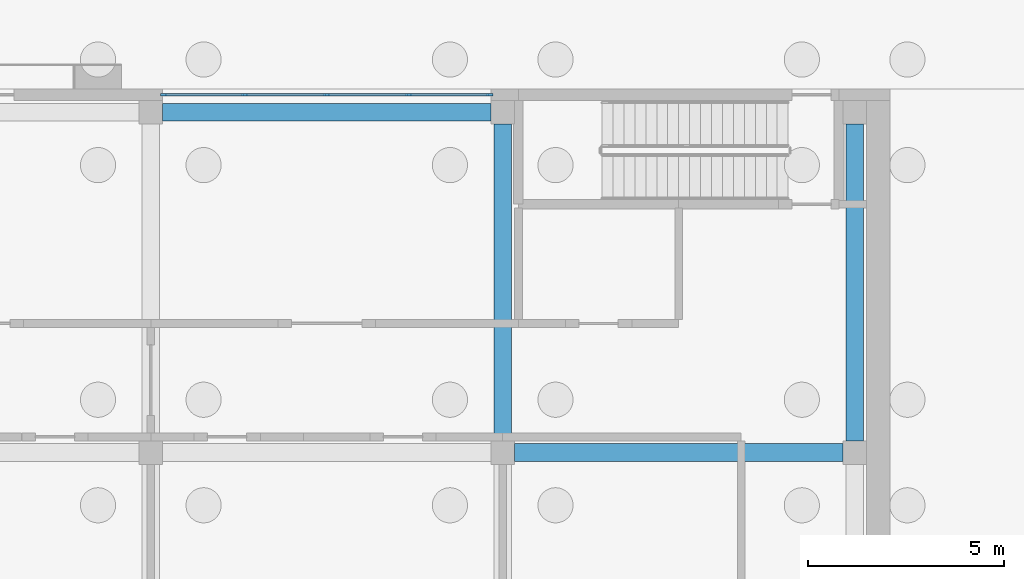
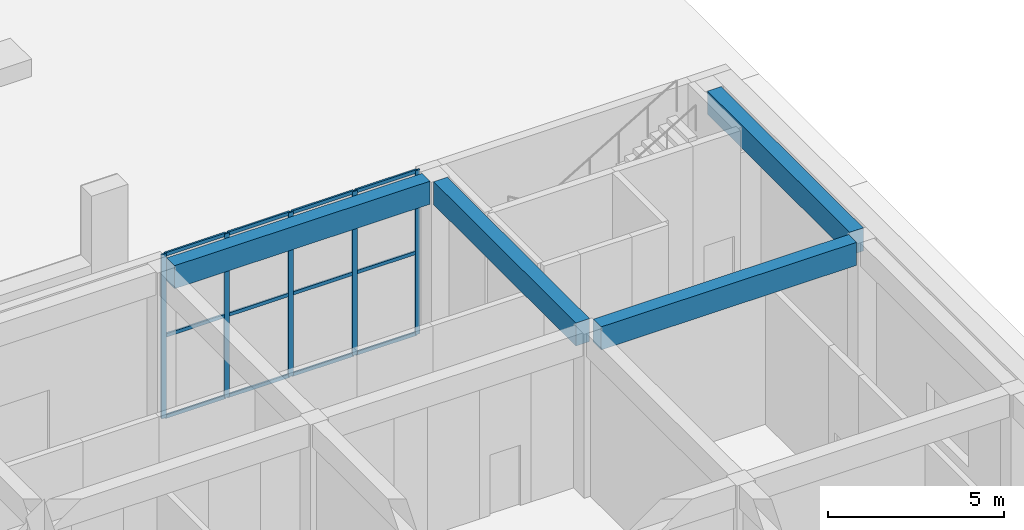
# One storey, part 10 of 31: 17 members, 4 beams, 1 element without a shape of its own.
"""IFC4 building model written with IfcOpenShell, lengths in metres."""

from ifc_helpers import new_model, si_unit, direction, frame, origin, origin_2d, place, context, subcontext, project, spatial, rectangle, extrude, material, material_profile, profile_set, type_object, element, aggregate, save


model = new_model("IFC4")

# Units and contexts
model_context = context("Model", 3, precision=1e-05, world=origin(), true_north=direction((0.0, 1.0)))
body_context = subcontext(model_context, "Body", "Model", "MODEL_VIEW")
ifc_project = project(units=[si_unit("LENGTHUNIT", "METRE"), si_unit("AREAUNIT", "SQUARE_METRE"), si_unit("VOLUMEUNIT", "CUBIC_METRE"), si_unit("PLANEANGLEUNIT", "RADIAN"), si_unit("MASSUNIT", "GRAM", prefix="KILO")], contexts=[model_context])

# Site, building, storey
site_placement = place(None, origin())
site = spatial("IfcSite", under=ifc_project, at=site_placement, CompositionType="ELEMENT")
building_placement = place(site_placement, origin())
building = spatial("IfcBuilding", under=site, at=building_placement, Name="Girih Gate Residences", CompositionType="ELEMENT")
storey_placement = place(building_placement, origin())
storey = spatial("IfcBuildingStorey", under=building, at=storey_placement, Name="L00", CompositionType="ELEMENT", Elevation=0.0)

# Beams
ifc_material_1 = material(Name="Concrete C40/50", Category="concrete")
ifc_material_profile_1 = material_profile(ifc_material_1, rectangle(XDim=0.449951171875, YDim=0.800048828125, at=origin_2d()))
ifc_profile_set_1 = profile_set([ifc_material_profile_1], Name="Concrete C40/50")
beam_type = type_object("IfcBeamType", Name="HC Beam 450x800 C40/50", PredefinedType="BEAM", material=ifc_profile_set_1)
for number, where, z_axis, x_axis, name in (
    (1, (80.75, 35.699951171875, 5.300048828125), (1.0, 0.0, 0.0), (0.0, 1.0, 0.0), "L00 beam HD.4"),
    (2, (71.75, 44.39990234375, 5.300048828125), (1.0, 0.0, 0.0), (0.0, 1.0, 0.0), "L00 beam HE.3"),
):
    element("IfcBeam", number, at=place(storey_placement, frame(where, z_axis=z_axis, x_axis=x_axis)), inside=storey, type_object=beam_type, Name=name, PredefinedType="BEAM", context=body_context, shape_type="SweptSolid", body=[
        extrude(rectangle(XDim=0.449951171875, YDim=0.800048828125, at=origin_2d()), origin(), (0.0, 0.0, 1.0), 8.39990234375),
    ])
for number, where, z_axis, x_axis, name in (
    (3, (80.449951171875, 36.0, 5.300048828125), (0.0, 1.0, 0.0), (-1.0, 0.0, 0.0), "L00 beam H4.4"),
    (4, (89.449951171875, 36.0, 5.300048828125), (0.0, 1.0, 0.0), (-1.0, 0.0, 0.0), "L00 beam H5.4"),
):
    element("IfcBeam", number, at=place(storey_placement, frame(where, z_axis=z_axis, x_axis=x_axis)), inside=storey, type_object=beam_type, Name=name, PredefinedType="BEAM", context=body_context, shape_type="SweptSolid", body=[
        extrude(rectangle(XDim=0.449951171875, YDim=0.800048828125, at=origin_2d()), origin(), (0.0, 0.0, 1.0), 8.10009765625),
    ])

# Curtain wall, members
ifc_material_2 = material(Name="Aluminium curtain wall", Category="aluminium")
curtain_wall_type = type_object("IfcCurtainWallType", Name="HC CW-5 curtain wall", PredefinedType="NOTDEFINED", material=ifc_material_2)
curtain_wall_placement = place(storey_placement, origin())
curtain_wall = element("IfcCurtainWall", 5, at=curtain_wall_placement, inside=storey, type_object=curtain_wall_type, Name="L00 Health Hall curtain wall", PredefinedType="NOTDEFINED")
ifc_material_3 = material(Name="Aluminium", Category="aluminium")
ifc_material_profile_2 = material_profile(ifc_material_3, rectangle(XDim=0.06005859375, YDim=0.159912109375, at=origin_2d()))
ifc_profile_set_2 = profile_set([ifc_material_profile_2], Name="Aluminium")
member_type_1 = type_object("IfcMemberType", Name="HC CW-5 mullion 60x160", PredefinedType="MULLION", material=ifc_profile_set_2)
member_1_placement = place(storey_placement, frame((71.780029296875, 44.85009765625, 0.0), z_axis=(0.0, 0.0, 1.0), x_axis=(0.0, 1.0, 0.0)))
member_1 = element("IfcMember", 6, at=member_1_placement, type_object=member_type_1, Name="CW-5 mullion 1", PredefinedType="MULLION", context=body_context, shape_type="SweptSolid", body=[
    extrude(rectangle(XDim=0.06005859375, YDim=0.159912109375, at=origin_2d()), origin(), (0.0, 0.0, 1.0), 5.699951171875),
])
member_2_placement = place(storey_placement, frame((73.85009765625, 44.85009765625, 0.0), z_axis=(0.0, 0.0, 1.0), x_axis=(0.0, 1.0, 0.0)))
member_2 = element("IfcMember", 7, at=member_2_placement, type_object=member_type_1, Name="CW-5 mullion 2", PredefinedType="MULLION", context=body_context, shape_type="SweptSolid", body=[
    extrude(rectangle(XDim=0.06005859375, YDim=0.159912109375, at=origin_2d()), origin(), (0.0, 0.0, 1.0), 5.699951171875),
])
member_3_placement = place(storey_placement, frame((75.949951171875, 44.85009765625, 0.0), z_axis=(0.0, 0.0, 1.0), x_axis=(0.0, 1.0, 0.0)))
member_3 = element("IfcMember", 8, at=member_3_placement, type_object=member_type_1, Name="CW-5 mullion 3", PredefinedType="MULLION", context=body_context, shape_type="SweptSolid", body=[
    extrude(rectangle(XDim=0.06005859375, YDim=0.159912109375, at=origin_2d()), origin(), (0.0, 0.0, 1.0), 5.699951171875),
])
member_4_placement = place(storey_placement, frame((78.050048828125, 44.85009765625, 0.0), z_axis=(0.0, 0.0, 1.0), x_axis=(0.0, 1.0, 0.0)))
member_4 = element("IfcMember", 9, at=member_4_placement, type_object=member_type_1, Name="CW-5 mullion 4", PredefinedType="MULLION", context=body_context, shape_type="SweptSolid", body=[
    extrude(rectangle(XDim=0.06005859375, YDim=0.159912109375, at=origin_2d()), origin(), (0.0, 0.0, 1.0), 5.699951171875),
])
member_5_placement = place(storey_placement, frame((80.1201171875, 44.85009765625, 0.0), z_axis=(0.0, 0.0, 1.0), x_axis=(0.0, 1.0, 0.0)))
member_5 = element("IfcMember", 10, at=member_5_placement, type_object=member_type_1, Name="CW-5 mullion 5", PredefinedType="MULLION", context=body_context, shape_type="SweptSolid", body=[
    extrude(rectangle(XDim=0.06005859375, YDim=0.159912109375, at=origin_2d()), origin(), (0.0, 0.0, 1.0), 5.699951171875),
])
ifc_material_profile_3 = material_profile(ifc_material_3, rectangle(XDim=0.06005859375, YDim=0.1201171875, at=origin_2d()))
ifc_profile_set_3 = profile_set([ifc_material_profile_3], Name="Aluminium")
member_type_2 = type_object("IfcMemberType", Name="HC CW-5 transom 60x120", PredefinedType="USERDEFINED", material=ifc_profile_set_3)
member_6_placement = place(storey_placement, frame((71.81005859375, 44.85009765625, 0.030029296875), z_axis=(1.0, 0.0, 0.0), x_axis=(0.0, 1.0, 0.0)))
member_6 = element("IfcMember", 11, at=member_6_placement, type_object=member_type_2, Name="CW-5 transom 1.1", ObjectType="TRANSOM", PredefinedType="USERDEFINED", context=body_context, shape_type="SweptSolid", body=[
    extrude(rectangle(XDim=0.06005859375, YDim=0.1201171875, at=origin_2d()), origin(), (0.0, 0.0, 1.0), 2.010009765625),
])
member_7_placement = place(storey_placement, frame((71.81005859375, 44.85009765625, 2.85009765625), z_axis=(1.0, 0.0, 0.0), x_axis=(0.0, 1.0, 0.0)))
member_7 = element("IfcMember", 12, at=member_7_placement, type_object=member_type_2, Name="CW-5 transom 1.2", ObjectType="TRANSOM", PredefinedType="USERDEFINED", context=body_context, shape_type="SweptSolid", body=[
    extrude(rectangle(XDim=0.06005859375, YDim=0.1201171875, at=origin_2d()), origin(), (0.0, 0.0, 1.0), 2.010009765625),
])
member_8_placement = place(storey_placement, frame((71.81005859375, 44.85009765625, 5.669921875), z_axis=(1.0, 0.0, 0.0), x_axis=(0.0, 1.0, 0.0)))
member_8 = element("IfcMember", 13, at=member_8_placement, type_object=member_type_2, Name="CW-5 transom 1.3", ObjectType="TRANSOM", PredefinedType="USERDEFINED", context=body_context, shape_type="SweptSolid", body=[
    extrude(rectangle(XDim=0.06005859375, YDim=0.1201171875, at=origin_2d()), origin(), (0.0, 0.0, 1.0), 2.010009765625),
])
member_9_placement = place(storey_placement, frame((73.8798828125, 44.85009765625, 0.030029296875), z_axis=(1.0, 0.0, 0.0), x_axis=(0.0, 1.0, 0.0)))
member_9 = element("IfcMember", 14, at=member_9_placement, type_object=member_type_2, Name="CW-5 transom 2.1", ObjectType="TRANSOM", PredefinedType="USERDEFINED", context=body_context, shape_type="SweptSolid", body=[
    extrude(rectangle(XDim=0.06005859375, YDim=0.1201171875, at=origin_2d()), origin(), (0.0, 0.0, 1.0), 2.0400390625),
])
member_10_placement = place(storey_placement, frame((73.8798828125, 44.85009765625, 2.85009765625), z_axis=(1.0, 0.0, 0.0), x_axis=(0.0, 1.0, 0.0)))
member_10 = element("IfcMember", 15, at=member_10_placement, type_object=member_type_2, Name="CW-5 transom 2.2", ObjectType="TRANSOM", PredefinedType="USERDEFINED", context=body_context, shape_type="SweptSolid", body=[
    extrude(rectangle(XDim=0.06005859375, YDim=0.1201171875, at=origin_2d()), origin(), (0.0, 0.0, 1.0), 2.0400390625),
])
member_11_placement = place(storey_placement, frame((73.8798828125, 44.85009765625, 5.669921875), z_axis=(1.0, 0.0, 0.0), x_axis=(0.0, 1.0, 0.0)))
member_11 = element("IfcMember", 16, at=member_11_placement, type_object=member_type_2, Name="CW-5 transom 2.3", ObjectType="TRANSOM", PredefinedType="USERDEFINED", context=body_context, shape_type="SweptSolid", body=[
    extrude(rectangle(XDim=0.06005859375, YDim=0.1201171875, at=origin_2d()), origin(), (0.0, 0.0, 1.0), 2.0400390625),
])
member_12_placement = place(storey_placement, frame((75.97998046875, 44.85009765625, 0.030029296875), z_axis=(1.0, 0.0, 0.0), x_axis=(0.0, 1.0, 0.0)))
member_12 = element("IfcMember", 17, at=member_12_placement, type_object=member_type_2, Name="CW-5 transom 3.1", ObjectType="TRANSOM", PredefinedType="USERDEFINED", context=body_context, shape_type="SweptSolid", body=[
    extrude(rectangle(XDim=0.06005859375, YDim=0.1201171875, at=origin_2d()), origin(), (0.0, 0.0, 1.0), 2.0400390625),
])
member_13_placement = place(storey_placement, frame((75.97998046875, 44.85009765625, 2.85009765625), z_axis=(1.0, 0.0, 0.0), x_axis=(0.0, 1.0, 0.0)))
member_13 = element("IfcMember", 18, at=member_13_placement, type_object=member_type_2, Name="CW-5 transom 3.2", ObjectType="TRANSOM", PredefinedType="USERDEFINED", context=body_context, shape_type="SweptSolid", body=[
    extrude(rectangle(XDim=0.06005859375, YDim=0.1201171875, at=origin_2d()), origin(), (0.0, 0.0, 1.0), 2.0400390625),
])
member_14_placement = place(storey_placement, frame((75.97998046875, 44.85009765625, 5.669921875), z_axis=(1.0, 0.0, 0.0), x_axis=(0.0, 1.0, 0.0)))
member_14 = element("IfcMember", 19, at=member_14_placement, type_object=member_type_2, Name="CW-5 transom 3.3", ObjectType="TRANSOM", PredefinedType="USERDEFINED", context=body_context, shape_type="SweptSolid", body=[
    extrude(rectangle(XDim=0.06005859375, YDim=0.1201171875, at=origin_2d()), origin(), (0.0, 0.0, 1.0), 2.0400390625),
])
member_15_placement = place(storey_placement, frame((78.080078125, 44.85009765625, 0.030029296875), z_axis=(1.0, 0.0, 0.0), x_axis=(0.0, 1.0, 0.0)))
member_15 = element("IfcMember", 20, at=member_15_placement, type_object=member_type_2, Name="CW-5 transom 4.1", ObjectType="TRANSOM", PredefinedType="USERDEFINED", context=body_context, shape_type="SweptSolid", body=[
    extrude(rectangle(XDim=0.06005859375, YDim=0.1201171875, at=origin_2d()), origin(), (0.0, 0.0, 1.0), 2.010009765625),
])
member_16_placement = place(storey_placement, frame((78.080078125, 44.85009765625, 2.85009765625), z_axis=(1.0, 0.0, 0.0), x_axis=(0.0, 1.0, 0.0)))
member_16 = element("IfcMember", 21, at=member_16_placement, type_object=member_type_2, Name="CW-5 transom 4.2", ObjectType="TRANSOM", PredefinedType="USERDEFINED", context=body_context, shape_type="SweptSolid", body=[
    extrude(rectangle(XDim=0.06005859375, YDim=0.1201171875, at=origin_2d()), origin(), (0.0, 0.0, 1.0), 2.010009765625),
])
member_17_placement = place(storey_placement, frame((78.080078125, 44.85009765625, 5.669921875), z_axis=(1.0, 0.0, 0.0), x_axis=(0.0, 1.0, 0.0)))
member_17 = element("IfcMember", 22, at=member_17_placement, type_object=member_type_2, Name="CW-5 transom 4.3", ObjectType="TRANSOM", PredefinedType="USERDEFINED", context=body_context, shape_type="SweptSolid", body=[
    extrude(rectangle(XDim=0.06005859375, YDim=0.1201171875, at=origin_2d()), origin(), (0.0, 0.0, 1.0), 2.010009765625),
])
aggregate(curtain_wall, [member_1, member_2, member_3, member_4, member_5, member_6, member_7, member_8, member_9, member_10, member_11, member_12, member_13, member_14, member_15, member_16, member_17])

save(model, "model.ifc")
